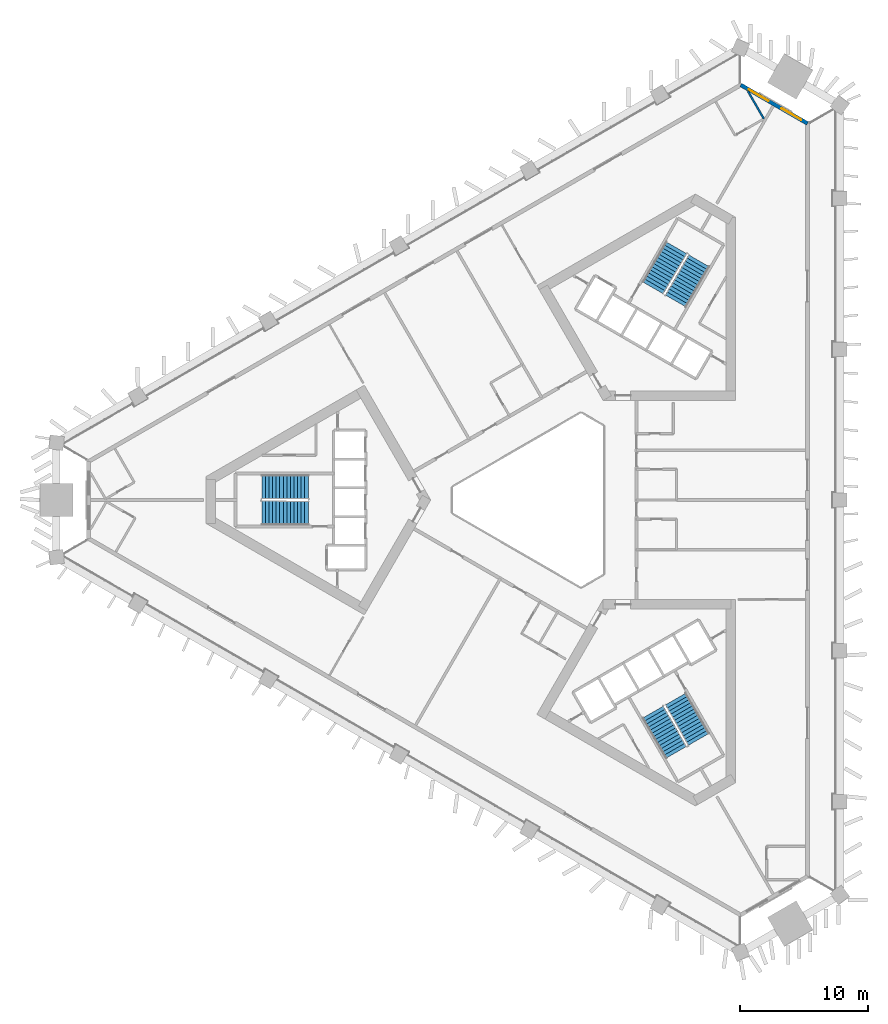
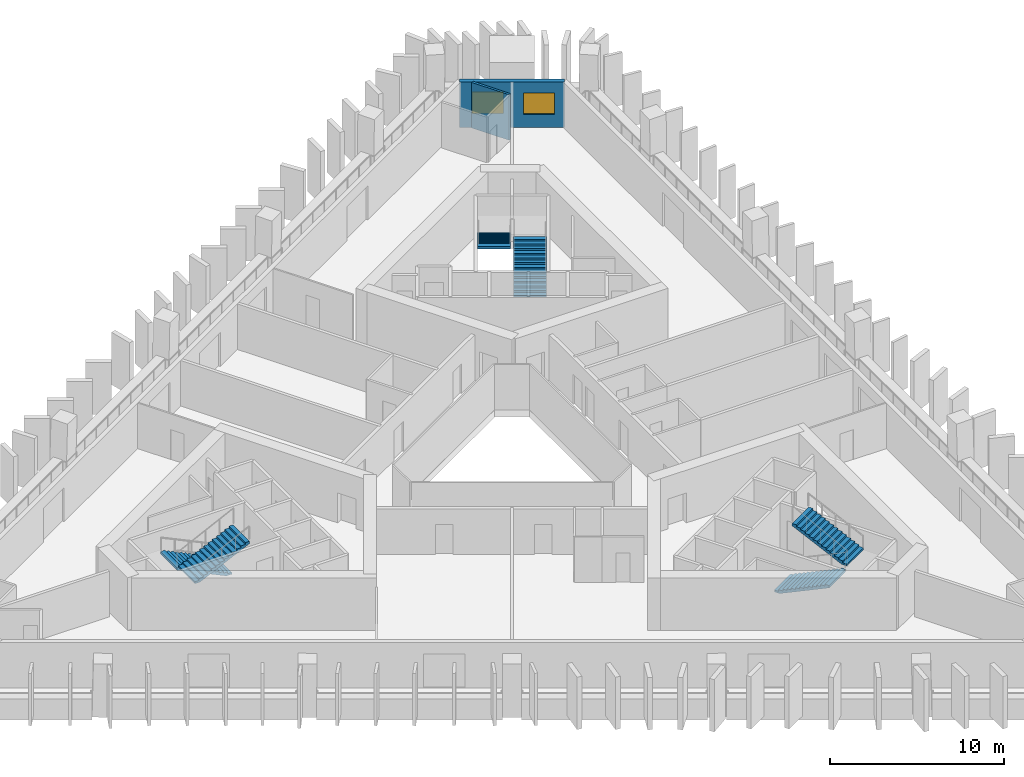
# One storey, part 7 of 11: 6 stair flights, 2 walls, 2 windows, 2 openings, 3 elements without a shape of their own.
"""IFC4 building model written with IfcOpenShell, lengths in metres."""

import ifcopenshell
import ifcopenshell.guid

model = None  # the IFC model being written
_history = None  # IfcOwnerHistory: only IFC2X3 demands one
_inside = {}  # id of a spatial element -> (the spatial element, [elements in it])
_under = {}  # id of a project, library or spatial element -> (it, [spatial elements below it])
_declared = {}  # id of a project -> (the project, [libraries it declares])
_typed = {}  # id of a type object -> (the type object, [elements of that type])
_made_of = {}  # id of a material, layer set ... -> (it, [elements and type objects made of it])


def new_model(schema):
    """Start an empty IFC model of exactly this schema.

    Asked for "IFC4X3", IfcOpenShell would pick the latest addendum, in which some entities
    have other attributes; the version numbers below select the first issue.
    IFC2X3 requires an IfcOwnerHistory on every rooted entity: one is made here for all.
    """
    global model, _history
    if schema == "IFC4X3":
        model = ifcopenshell.file(schema_version=(4, 3, 0, 0))
    else:
        model = ifcopenshell.file(schema=schema)
    _inside.clear()
    _under.clear()
    _declared.clear()
    _typed.clear()
    _made_of.clear()
    _history = None
    if model.schema == "IFC2X3":
        org = make("IfcOrganization", Name="unknown")
        user = make(
            "IfcPersonAndOrganization",
            ThePerson=make("IfcPerson", FamilyName="unknown"),
            TheOrganization=org,
        )
        app = make(
            "IfcApplication",
            ApplicationDeveloper=org,
            Version="unknown",
            ApplicationFullName="unknown",
            ApplicationIdentifier="unknown",
        )
        _history = make(
            "IfcOwnerHistory",
            OwningUser=user,
            OwningApplication=app,
            ChangeAction="ADDED",
            CreationDate=0,
        )
    return model


def make(cls, **values):
    """One entity of the class cls with the attributes given. An attribute that is None is left unset."""
    return model.create_entity(
        cls, **{name: value for name, value in values.items() if value is not None}
    )


def rooted(cls, **values):
    """An entity with a GlobalId (a new one), such as an element, a storey or a relation."""
    return make(cls, GlobalId=ifcopenshell.guid.new(), OwnerHistory=_history, **values)


def si_unit(unit_type, name, prefix=None):
    """IfcSIUnit, for example si_unit("LENGTHUNIT", "METRE", prefix="MILLI")."""
    return make("IfcSIUnit", UnitType=unit_type, Prefix=prefix, Name=name)


def assignment(units):
    """IfcUnitAssignment: the units of a project."""
    return None if units is None else make("IfcUnitAssignment", Units=units)


def point(xyz):
    """IfcCartesianPoint."""
    return None if xyz is None else make("IfcCartesianPoint", Coordinates=xyz)


def direction(xyz):
    """IfcDirection."""
    return None if xyz is None else make("IfcDirection", DirectionRatios=xyz)


def frame(location, z_axis=None, x_axis=None):
    """IfcAxis2Placement3D, a coordinate frame: its origin and axes. An axis left out is left unset."""
    return make(
        "IfcAxis2Placement3D",
        Location=point(location),
        Axis=direction(z_axis),
        RefDirection=direction(x_axis),
    )


def frame_2d(location, x_axis=None):
    """IfcAxis2Placement2D, a coordinate frame in the plane: its origin and x axis."""
    return make(
        "IfcAxis2Placement2D", Location=point(location), RefDirection=direction(x_axis)
    )


def origin():
    """The frame at (0, 0, 0) with its axes left unset."""
    return frame((0.0, 0.0, 0.0))


def place(relative_to, where):
    """IfcLocalPlacement: puts the frame where relative to a parent placement (None: the world)."""
    return make(
        "IfcLocalPlacement", PlacementRelTo=relative_to, RelativePlacement=where
    )


def context(
    kind, dimensions, precision=None, world=None, true_north=None, identifier=None
):
    """IfcGeometricRepresentationContext, for example the 3D "Model" context."""
    return make(
        "IfcGeometricRepresentationContext",
        ContextIdentifier=identifier,
        ContextType=kind,
        CoordinateSpaceDimension=dimensions,
        Precision=precision,
        WorldCoordinateSystem=world,
        TrueNorth=true_north,
    )


def subcontext(parent, identifier, kind, view, scale=None):
    """IfcGeometricRepresentationSubContext, for example "Body" below "Model"."""
    return make(
        "IfcGeometricRepresentationSubContext",
        ContextIdentifier=identifier,
        ContextType=kind,
        ParentContext=parent,
        TargetScale=scale,
        TargetView=view,
    )


def project(units=None, contexts=None):
    """IfcProject with its units and contexts."""
    return rooted(
        "IfcProject",
        Name="project",
        RepresentationContexts=contexts,
        UnitsInContext=assignment(units),
    )


def spatial(cls, under=None, at=None, **own):
    """A site, building, storey or space (cls), placed at a placement, below another one or the project."""
    s = rooted(cls, ObjectPlacement=at, **own)
    if under is not None:
        _under.setdefault(under.id(), (under, []))[1].append(s)
    return s


def polyline(points):
    """IfcPolyline through the points."""
    return make("IfcPolyline", Points=[point(p) for p in points])


def profile(cls, at=None, kind="AREA", **sizes):
    """A parametric profile (cls). Its sizes go by their IFC names, for example OverallWidth=200.0."""
    return make(cls, ProfileType=kind, Position=at, **sizes)


def rectangle(**sizes):
    """IfcRectangleProfileDef."""
    return profile("IfcRectangleProfileDef", **sizes)


def outline(outer, holes=None, kind="AREA"):
    """IfcArbitraryClosedProfileDef: a profile drawn as a closed curve; with holes, ...WithVoids."""
    if holes is None:
        return make("IfcArbitraryClosedProfileDef", ProfileType=kind, OuterCurve=outer)
    return make(
        "IfcArbitraryProfileDefWithVoids",
        ProfileType=kind,
        OuterCurve=outer,
        InnerCurves=holes,
    )


def extrude(swept, where, along, depth):
    """IfcExtrudedAreaSolid: the profile swept, set in the frame where, extruded along a direction by depth."""
    return make(
        "IfcExtrudedAreaSolid",
        SweptArea=swept,
        Position=where,
        ExtrudedDirection=direction(along),
        Depth=depth,
    )


def shape(context_of_items, identifier, shape_type, items):
    """IfcShapeRepresentation: the items that make up one representation, for example the "Body"."""
    return make(
        "IfcShapeRepresentation",
        ContextOfItems=context_of_items,
        RepresentationIdentifier=identifier,
        RepresentationType=shape_type,
        Items=items,
    )


def material(Name=None, Category=None):
    """IfcMaterial."""
    return make("IfcMaterial", Name=Name, Category=Category)


def layer(
    of_material, thickness, ventilated=None, Name=None, Category=None, Priority=None
):
    """IfcMaterialLayer: one layer of a wall or slab, of a material (None: an air gap)."""
    return make(
        "IfcMaterialLayer",
        Material=of_material,
        LayerThickness=thickness,
        IsVentilated=ventilated,
        Name=Name,
        Category=Category,
        Priority=Priority,
    )


def layer_set(layers, Name=None):
    """IfcMaterialLayerSet."""
    return make("IfcMaterialLayerSet", MaterialLayers=layers, LayerSetName=Name)


def made_of(thing, what):
    """Note that an element or type object is made of a material, layer set ...; save() writes the relation."""
    if what is not None:
        _made_of.setdefault(what.id(), (what, []))[1].append(thing)
    return thing


def type_object(cls, material=None, **own):
    """A type object (cls), such as IfcWallType, which elements share."""
    return made_of(rooted(cls, **own), material)


def element(
    cls,
    number,
    at=None,
    inside=None,
    cuts=None,
    type_object=None,
    material=None,
    context=None,
    identifier="Body",
    shape_type=None,
    held_by="IfcProductDefinitionShape",
    body=None,
    shapes=None,
    **own,
):
    """One element of the class cls, such as IfcWall. Its Tag is "e" and its number.

    at: its placement. inside: the storey or other place that contains it. cuts: it is an
    opening in that element (IfcRelVoidsElement). A single representation is given by context,
    identifier, shape_type and body (its items); several are given by shapes. held_by: the class
    of the entity that holds the representations. save() writes the other relations.
    """
    e = rooted(cls, Tag="e%d" % number, ObjectPlacement=at, **own)
    if body is not None:
        shapes = [shape(context, identifier, shape_type, body)]
    if shapes is not None:
        e.Representation = make(held_by, Representations=shapes)
    if inside is not None:
        _inside.setdefault(inside.id(), (inside, []))[1].append(e)
    if cuts is not None:
        rooted(
            "IfcRelVoidsElement", RelatingBuildingElement=cuts, RelatedOpeningElement=e
        )
    if type_object is not None:
        _typed.setdefault(type_object.id(), (type_object, []))[1].append(e)
    return made_of(e, material)


def fill(opening, filler):
    """IfcRelFillsElement: the door or window that sits in an opening."""
    return rooted(
        "IfcRelFillsElement",
        RelatingOpeningElement=opening,
        RelatedBuildingElement=filler,
    )


def aggregate(whole, parts):
    """IfcRelAggregates: a whole, such as a stair, and the parts it consists of."""
    return rooted("IfcRelAggregates", RelatingObject=whole, RelatedObjects=parts)


def save(model, path):
    """Write the relations noted so far, then the file.

    IfcRelAggregates (storeys below a building ...), IfcRelContainedInSpatialStructure (elements
    in a storey), IfcRelDefinesByType, IfcRelAssociatesMaterial and IfcRelDeclares: one each for
    every whole, place, type object, material and project.
    """
    for whole, parts in _under.values():
        aggregate(whole, parts)
    for where, things in _inside.values():
        rooted(
            "IfcRelContainedInSpatialStructure",
            RelatedElements=things,
            RelatingStructure=where,
        )
    for kind, things in _typed.values():
        rooted("IfcRelDefinesByType", RelatedObjects=things, RelatingType=kind)
    for what, things in _made_of.values():
        rooted("IfcRelAssociatesMaterial", RelatedObjects=things, RelatingMaterial=what)
    for by, libraries in _declared.values():
        rooted("IfcRelDeclares", RelatingContext=by, RelatedDefinitions=libraries)
    model.write(path)


model = new_model("IFC4")

# Units and contexts
model_context = context("Model", 3, precision=1e-05, world=origin(), true_north=direction((0.0, 1.0)))
body_context = subcontext(model_context, "Body", "Model", "MODEL_VIEW")
ifc_project = project(units=[si_unit("LENGTHUNIT", "METRE"), si_unit("AREAUNIT", "SQUARE_METRE"), si_unit("VOLUMEUNIT", "CUBIC_METRE"), si_unit("PLANEANGLEUNIT", "RADIAN"), si_unit("MASSUNIT", "GRAM", prefix="KILO")], contexts=[model_context])

# Site, building, storey
site_placement = place(None, origin())
site = spatial("IfcSite", under=ifc_project, at=site_placement, CompositionType="ELEMENT")
building_placement = place(site_placement, origin())
building = spatial("IfcBuilding", under=site, at=building_placement, Name="Jabali Bay Hotel Tower and Convention Centre", CompositionType="ELEMENT")
storey_placement = place(building_placement, frame((0.0, 0.0, 79.5)))
storey = spatial("IfcBuildingStorey", under=building, at=storey_placement, Name="L18", CompositionType="ELEMENT", Elevation=79.5)

# Wall, openings, windows
ifc_material_1 = material(Name="Concrete C40", Category="concrete")
ifc_layer_1 = layer(ifc_material_1, 0.300048828125)
ifc_layer_set_1 = layer_set([ifc_layer_1], Name="Concrete C40")
wall_type_1 = type_object("IfcWallType", Name="External wall 300", PredefinedType="SOLIDWALL", material=ifc_layer_set_1)
wall_1_placement = place(storey_placement, frame((90.2763671875, 112.491943359375, 0.0), z_axis=(0.0, 0.0, 1.0), x_axis=(0.866037993248, -0.499978193775, 0.0)))
wall_1 = element("IfcWall", 1, at=wall_1_placement, inside=storey, type_object=wall_type_1, Name="External wall north-east chamfer L18", PredefinedType="SOLIDWALL", context=body_context, shape_type="SweptSolid", body=[
    extrude(rectangle(XDim=6.032470703125, YDim=0.300048828125, at=frame_2d((3.01611328125, 0.0))), origin(), (0.0, 0.0, 1.0), 3.199951171875),
])
opening_1_placement = place(wall_1_placement, frame((0.715576171875, 0.0, 0.89990234375)))
opening_1 = element("IfcOpeningElement", 2, at=opening_1_placement, cuts=wall_1, Name="Opening W1", PredefinedType="OPENING", context=body_context, shape_type="SweptSolid", body=[
    extrude(rectangle(XDim=1.800048828125, YDim=1.5, at=frame_2d((0.89990234375, 0.75))), frame((0.0, 0.16064453125, 0.0), z_axis=(0.0, -1.0, 0.0), x_axis=(1.0, 0.0, 0.0)), (0.0, 0.0, 1.0), 0.321044921875),
])
opening_2_placement = place(wall_1_placement, frame((3.6669921875, 0.0, 0.89990234375)))
opening_2 = element("IfcOpeningElement", 3, at=opening_2_placement, cuts=wall_1, Name="Opening W1", PredefinedType="OPENING", context=body_context, shape_type="SweptSolid", body=[
    extrude(rectangle(XDim=1.800048828125, YDim=1.5, at=frame_2d((0.89990234375, 0.75))), frame((0.0, 0.16064453125, 0.0), z_axis=(0.0, -1.0, 0.0), x_axis=(1.0, 0.0, 0.0)), (0.0, 0.0, 1.0), 0.321044921875),
])
ifc_material_2 = material(Name="Glass", Category="glass")
window_type = type_object("IfcWindowType", Name="Window 1800 x 1500", PartitioningType="SINGLE_PANEL", PredefinedType="WINDOW", material=ifc_material_2)
window_1_placement = place(opening_1_placement, origin())
window_1 = element("IfcWindow", 4, at=window_1_placement, inside=storey, type_object=window_type, Name="Window 1805", OverallHeight=1.5, OverallWidth=1.800048828125, PartitioningType="SINGLE_PANEL", PredefinedType="WINDOW", context=body_context, shape_type="SweptSolid", body=[
    extrude(rectangle(XDim=1.800048828125, YDim=1.5, at=frame_2d((0.89990234375, 0.75))), frame((0.0, 0.030029296875, 0.0), z_axis=(0.0, -1.0, 0.0), x_axis=(1.0, 0.0, 0.0)), (0.0, 0.0, 1.0), 0.06005859375),
])
fill(opening_1, window_1)
window_2_placement = place(opening_2_placement, origin())
window_2 = element("IfcWindow", 5, at=window_2_placement, inside=storey, type_object=window_type, Name="Window 1804", OverallHeight=1.5, OverallWidth=1.800048828125, PartitioningType="SINGLE_PANEL", PredefinedType="WINDOW", context=body_context, shape_type="SweptSolid", body=[
    extrude(rectangle(XDim=1.800048828125, YDim=1.5, at=frame_2d((0.89990234375, 0.75))), frame((0.0, 0.030029296875, 0.0), z_axis=(0.0, -1.0, 0.0), x_axis=(1.0, 0.0, 0.0)), (0.0, 0.0, 1.0), 0.06005859375),
])
fill(opening_2, window_2)

# Wall
ifc_material_3 = material(Name="Plasterboard on steel stud", Category="steel")
ifc_layer_2 = layer(ifc_material_3, 0.14990234375)
ifc_layer_set_2 = layer_set([ifc_layer_2], Name="Plasterboard on steel stud")
wall_type_2 = type_object("IfcWallType", Name="Partition 150 wet", PredefinedType="PARTITIONING", material=ifc_layer_set_2)
wall_2_placement = place(storey_placement, frame((90.837646484375, 111.995849609375, 0.0), z_axis=(0.0, 0.0, 1.0), x_axis=(0.500011170278, -0.866018954525, 0.0)))
element("IfcWall", 6, at=wall_2_placement, inside=storey, type_object=wall_type_2, Name="Partition P03 L18 020", PredefinedType="PARTITIONING", context=body_context, shape_type="SweptSolid", body=[
    extrude(rectangle(XDim=2.48876953125, YDim=0.14990234375, at=frame_2d((1.244384765625, 0.0))), origin(), (0.0, 0.0, 1.0), 3.199951171875),
])

# Stair, stair flights
stair_type = type_object("IfcStairType", Name="Exit stair 1900", PredefinedType="HALF_TURN_STAIR", material=ifc_material_1)
stair_1_placement = place(storey_placement, origin())
stair_1 = element("IfcStair", 7, at=stair_1_placement, inside=storey, type_object=stair_type, Name="L18 Exit Stair 1", PredefinedType="HALF_TURN_STAIR")
stair_flight_type = type_object("IfcStairFlightType", Name="Stair flight concrete 150", PredefinedType="STRAIGHT", material=ifc_material_1)
stair_flight_1_placement = place(storey_placement, frame((56.419921875, 81.02490234375, 0.0), z_axis=(0.0, 0.0, 1.0), x_axis=(-1.0, 0.0, 0.0)))
stair_flight_1 = element("IfcStairFlight", 8, at=stair_flight_1_placement, type_object=stair_flight_type, Name="ST1 flight 1", NumberOfRisers=14, NumberOfTreads=13, PredefinedType="STRAIGHT", RiserHeight=0.132142857, TreadLength=0.28, context=body_context, shape_type="SweptSolid", body=[
    extrude(outline(polyline([(0.0, 0.0), (0.0, 0.132080078125), (0.280029296875, 0.132080078125), (0.280029296875, 0.264404296875), (0.56005859375, 0.264404296875), (0.56005859375, 0.396484375), (0.840087890625, 0.396484375), (0.840087890625, 0.528564453125), (1.1201171875, 0.528564453125), (1.1201171875, 0.66064453125), (1.39990234375, 0.66064453125), (1.39990234375, 0.79296875), (1.679931640625, 0.79296875), (1.679931640625, 0.925048828125), (1.9599609375, 0.925048828125), (1.9599609375, 1.05712890625), (2.239990234375, 1.05712890625), (2.239990234375, 1.189208984375), (2.52001953125, 1.189208984375), (2.52001953125, 1.321533203125), (2.800048828125, 1.321533203125), (2.800048828125, 1.45361328125), (3.080078125, 1.45361328125), (3.080078125, 1.585693359375), (3.360107421875, 1.585693359375), (3.360107421875, 1.7177734375), (3.639892578125, 1.7177734375), (3.639892578125, 1.85009765625), (3.639892578125, 1.552001953125), (0.351318359375, 0.0), (0.0, 0.0)])), frame((0.0, 0.949951171875, 0.0), z_axis=(0.0, -1.0, 0.0), x_axis=(1.0, 0.0, 0.0)), (0.0, 0.0, 1.0), 1.89990234375),
])
stair_flight_2_placement = place(storey_placement, frame((52.780029296875, 78.97509765625, 1.85009765625), z_axis=(0.0, 0.0, 1.0), x_axis=(1.0, 0.0, 0.0)))
stair_flight_2 = element("IfcStairFlight", 9, at=stair_flight_2_placement, type_object=stair_flight_type, Name="ST1 flight 2", NumberOfRisers=14, NumberOfTreads=13, PredefinedType="STRAIGHT", RiserHeight=0.132142857, TreadLength=0.28, context=body_context, shape_type="SweptSolid", body=[
    extrude(outline(polyline([(0.0, 0.0), (0.0, 0.132080078125), (0.280029296875, 0.132080078125), (0.280029296875, 0.264404296875), (0.56005859375, 0.264404296875), (0.56005859375, 0.396484375), (0.840087890625, 0.396484375), (0.840087890625, 0.528564453125), (1.1201171875, 0.528564453125), (1.1201171875, 0.66064453125), (1.39990234375, 0.66064453125), (1.39990234375, 0.79296875), (1.679931640625, 0.79296875), (1.679931640625, 0.925048828125), (1.9599609375, 0.925048828125), (1.9599609375, 1.05712890625), (2.239990234375, 1.05712890625), (2.239990234375, 1.189208984375), (2.52001953125, 1.189208984375), (2.52001953125, 1.321533203125), (2.800048828125, 1.321533203125), (2.800048828125, 1.45361328125), (3.080078125, 1.45361328125), (3.080078125, 1.585693359375), (3.360107421875, 1.585693359375), (3.360107421875, 1.7177734375), (3.639892578125, 1.7177734375), (3.639892578125, 1.85009765625), (3.639892578125, 1.552001953125), (0.351318359375, 0.0), (0.0, 0.0)])), frame((0.0, 0.949951171875, 0.0), z_axis=(0.0, -1.0, 0.0), x_axis=(1.0, 0.0, 0.0)), (0.0, 0.0, 1.0), 1.89990234375),
])
aggregate(stair_1, [stair_flight_1, stair_flight_2])

stair_2_placement = place(storey_placement, origin())
stair_2 = element("IfcStair", 10, at=stair_2_placement, inside=storey, type_object=stair_type, Name="L18 Exit Stair 2", PredefinedType="HALF_TURN_STAIR")
stair_flight_3_placement = place(storey_placement, frame((85.177734375, 95.578369140625, 0.0), z_axis=(0.0, 0.0, 1.0), x_axis=(0.5, 0.866025403784, 0.0)))
stair_flight_3 = element("IfcStairFlight", 11, at=stair_flight_3_placement, type_object=stair_flight_type, Name="ST2 flight 1", NumberOfRisers=14, NumberOfTreads=13, PredefinedType="STRAIGHT", RiserHeight=0.132142857, TreadLength=0.28, context=body_context, shape_type="SweptSolid", body=[
    extrude(outline(polyline([(0.0, 0.0), (0.0, 0.132080078125), (0.280029296875, 0.132080078125), (0.280029296875, 0.264404296875), (0.56005859375, 0.264404296875), (0.56005859375, 0.396484375), (0.840087890625, 0.396484375), (0.840087890625, 0.528564453125), (1.1201171875, 0.528564453125), (1.1201171875, 0.66064453125), (1.39990234375, 0.66064453125), (1.39990234375, 0.79296875), (1.679931640625, 0.79296875), (1.679931640625, 0.925048828125), (1.9599609375, 0.925048828125), (1.9599609375, 1.05712890625), (2.239990234375, 1.05712890625), (2.239990234375, 1.189208984375), (2.52001953125, 1.189208984375), (2.52001953125, 1.321533203125), (2.800048828125, 1.321533203125), (2.800048828125, 1.45361328125), (3.080078125, 1.45361328125), (3.080078125, 1.585693359375), (3.360107421875, 1.585693359375), (3.360107421875, 1.7177734375), (3.639892578125, 1.7177734375), (3.639892578125, 1.85009765625), (3.639892578125, 1.552001953125), (0.351318359375, 0.0), (0.0, 0.0)])), frame((0.0, 0.949951171875, 0.0), z_axis=(0.0, -1.0, 0.0), x_axis=(1.0, 0.0, 0.0)), (0.0, 0.0, 1.0), 1.89990234375),
])
stair_flight_4_placement = place(storey_placement, frame((85.222412109375, 99.755615234375, 1.85009765625), z_axis=(0.0, 0.0, 1.0), x_axis=(-0.5, -0.866025403784, 0.0)))
stair_flight_4 = element("IfcStairFlight", 12, at=stair_flight_4_placement, type_object=stair_flight_type, Name="ST2 flight 2", NumberOfRisers=14, NumberOfTreads=13, PredefinedType="STRAIGHT", RiserHeight=0.132142857, TreadLength=0.28, context=body_context, shape_type="SweptSolid", body=[
    extrude(outline(polyline([(0.0, 0.0), (0.0, 0.132080078125), (0.280029296875, 0.132080078125), (0.280029296875, 0.264404296875), (0.56005859375, 0.264404296875), (0.56005859375, 0.396484375), (0.840087890625, 0.396484375), (0.840087890625, 0.528564453125), (1.1201171875, 0.528564453125), (1.1201171875, 0.66064453125), (1.39990234375, 0.66064453125), (1.39990234375, 0.79296875), (1.679931640625, 0.79296875), (1.679931640625, 0.925048828125), (1.9599609375, 0.925048828125), (1.9599609375, 1.05712890625), (2.239990234375, 1.05712890625), (2.239990234375, 1.189208984375), (2.52001953125, 1.189208984375), (2.52001953125, 1.321533203125), (2.800048828125, 1.321533203125), (2.800048828125, 1.45361328125), (3.080078125, 1.45361328125), (3.080078125, 1.585693359375), (3.360107421875, 1.585693359375), (3.360107421875, 1.7177734375), (3.639892578125, 1.7177734375), (3.639892578125, 1.85009765625), (3.639892578125, 1.552001953125), (0.351318359375, 0.0), (0.0, 0.0)])), frame((0.0, 0.949951171875, 0.0), z_axis=(0.0, -1.0, 0.0), x_axis=(1.0, 0.0, 0.0)), (0.0, 0.0, 1.0), 1.89990234375),
])
aggregate(stair_2, [stair_flight_3, stair_flight_4])

stair_3_placement = place(storey_placement, origin())
stair_3 = element("IfcStair", 13, at=stair_3_placement, inside=storey, type_object=stair_type, Name="L18 Exit Stair 3", PredefinedType="HALF_TURN_STAIR")
stair_flight_5_placement = place(storey_placement, frame((83.40234375, 63.396728515625, 0.0), z_axis=(0.0, 0.0, 1.0), x_axis=(0.5, -0.866025403784, 0.0)))
stair_flight_5 = element("IfcStairFlight", 14, at=stair_flight_5_placement, type_object=stair_flight_type, Name="ST3 flight 1", NumberOfRisers=14, NumberOfTreads=13, PredefinedType="STRAIGHT", RiserHeight=0.132142857, TreadLength=0.28, context=body_context, shape_type="SweptSolid", body=[
    extrude(outline(polyline([(0.0, 0.0), (0.0, 0.132080078125), (0.280029296875, 0.132080078125), (0.280029296875, 0.264404296875), (0.56005859375, 0.264404296875), (0.56005859375, 0.396484375), (0.840087890625, 0.396484375), (0.840087890625, 0.528564453125), (1.1201171875, 0.528564453125), (1.1201171875, 0.66064453125), (1.39990234375, 0.66064453125), (1.39990234375, 0.79296875), (1.679931640625, 0.79296875), (1.679931640625, 0.925048828125), (1.9599609375, 0.925048828125), (1.9599609375, 1.05712890625), (2.239990234375, 1.05712890625), (2.239990234375, 1.189208984375), (2.52001953125, 1.189208984375), (2.52001953125, 1.321533203125), (2.800048828125, 1.321533203125), (2.800048828125, 1.45361328125), (3.080078125, 1.45361328125), (3.080078125, 1.585693359375), (3.360107421875, 1.585693359375), (3.360107421875, 1.7177734375), (3.639892578125, 1.7177734375), (3.639892578125, 1.85009765625), (3.639892578125, 1.552001953125), (0.351318359375, 0.0), (0.0, 0.0)])), frame((0.0, 0.949951171875, 0.0), z_axis=(0.0, -1.0, 0.0), x_axis=(1.0, 0.0, 0.0)), (0.0, 0.0, 1.0), 1.89990234375),
])
stair_flight_6_placement = place(storey_placement, frame((86.99755859375, 61.26953125, 1.85009765625), z_axis=(0.0, 0.0, 1.0), x_axis=(-0.5, 0.866025403784, 0.0)))
stair_flight_6 = element("IfcStairFlight", 15, at=stair_flight_6_placement, type_object=stair_flight_type, Name="ST3 flight 2", NumberOfRisers=14, NumberOfTreads=13, PredefinedType="STRAIGHT", RiserHeight=0.132142857, TreadLength=0.28, context=body_context, shape_type="SweptSolid", body=[
    extrude(outline(polyline([(0.0, 0.0), (0.0, 0.132080078125), (0.280029296875, 0.132080078125), (0.280029296875, 0.264404296875), (0.56005859375, 0.264404296875), (0.56005859375, 0.396484375), (0.840087890625, 0.396484375), (0.840087890625, 0.528564453125), (1.1201171875, 0.528564453125), (1.1201171875, 0.66064453125), (1.39990234375, 0.66064453125), (1.39990234375, 0.79296875), (1.679931640625, 0.79296875), (1.679931640625, 0.925048828125), (1.9599609375, 0.925048828125), (1.9599609375, 1.05712890625), (2.239990234375, 1.05712890625), (2.239990234375, 1.189208984375), (2.52001953125, 1.189208984375), (2.52001953125, 1.321533203125), (2.800048828125, 1.321533203125), (2.800048828125, 1.45361328125), (3.080078125, 1.45361328125), (3.080078125, 1.585693359375), (3.360107421875, 1.585693359375), (3.360107421875, 1.7177734375), (3.639892578125, 1.7177734375), (3.639892578125, 1.85009765625), (3.639892578125, 1.552001953125), (0.351318359375, 0.0), (0.0, 0.0)])), frame((0.0, 0.949951171875, 0.0), z_axis=(0.0, -1.0, 0.0), x_axis=(1.0, 0.0, 0.0)), (0.0, 0.0, 1.0), 1.89990234375),
])
aggregate(stair_3, [stair_flight_5, stair_flight_6])

save(model, "model.ifc")
